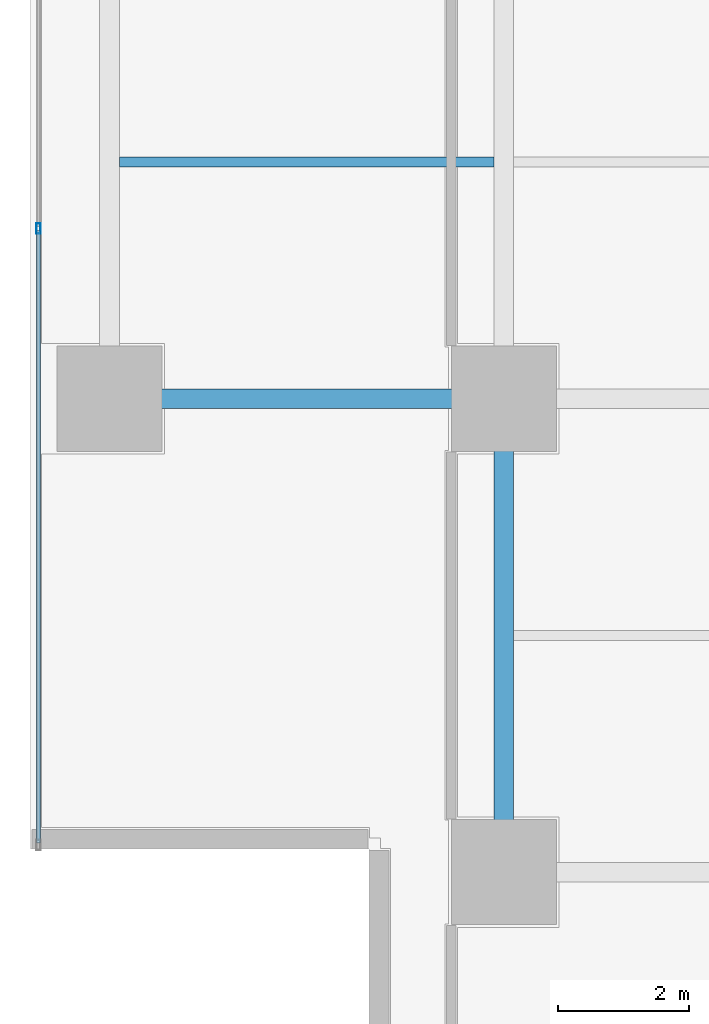
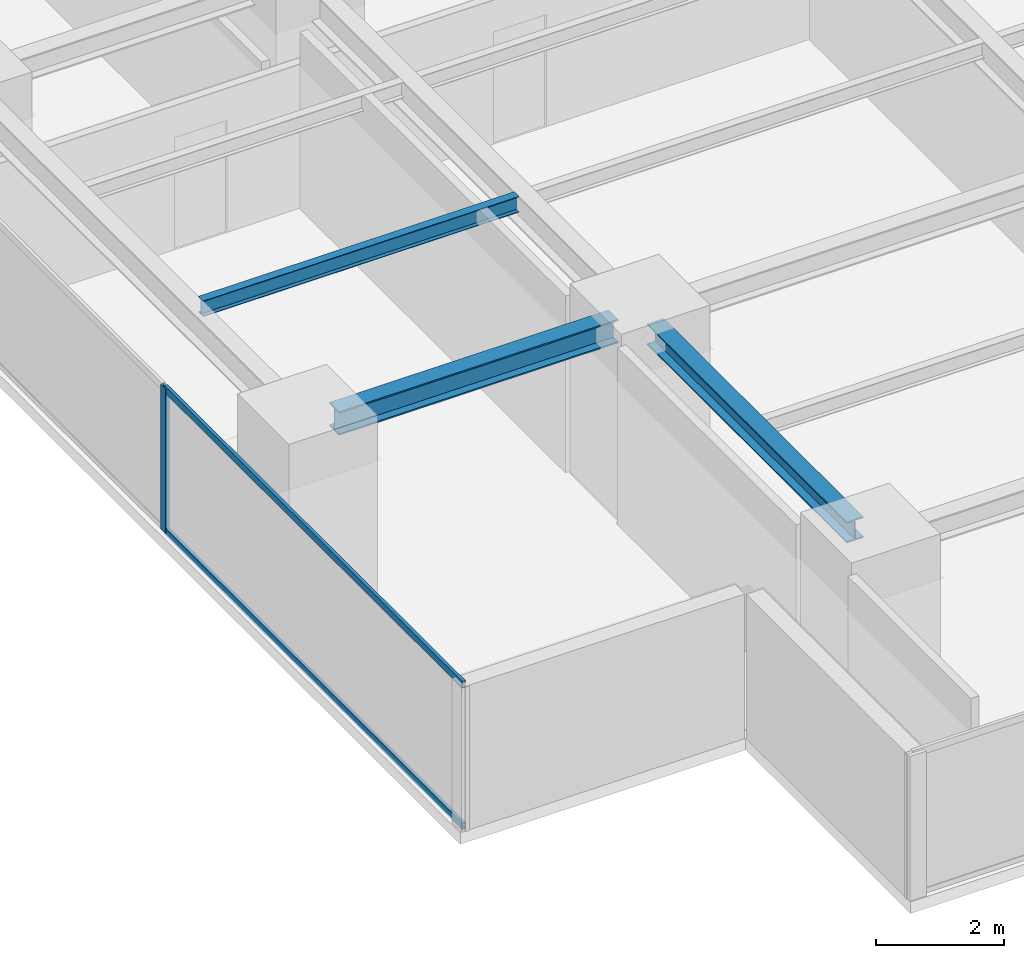
# One storey, part 3 of 28: 3 beams, 3 members, 1 element without a shape of its own.
"""IFC4 building model written with IfcOpenShell, lengths in metres."""

from ifc_helpers import new_model, si_unit, direction, frame, origin, origin_2d, place, context, subcontext, project, spatial, hollow_rectangle, i_section, extrude, source, transform, mapped, material, layer, layer_set, material_profile, profile_set, type_object, element, aggregate, save


model = new_model("IFC4")

# Units and contexts
model_context = context("Model", 3, precision=1e-05, world=origin(), true_north=direction((0.0, 1.0)))
body_context = subcontext(model_context, "Body", "Model", "MODEL_VIEW")
ifc_project = project(units=[si_unit("LENGTHUNIT", "METRE"), si_unit("AREAUNIT", "SQUARE_METRE"), si_unit("VOLUMEUNIT", "CUBIC_METRE"), si_unit("PLANEANGLEUNIT", "RADIAN"), si_unit("MASSUNIT", "GRAM", prefix="KILO")], contexts=[model_context])

# Site, building, storey
site_placement = place(None, origin())
site = spatial("IfcSite", under=ifc_project, at=site_placement, CompositionType="ELEMENT")
building_placement = place(site_placement, origin())
building = spatial("IfcBuilding", under=site, at=building_placement, Name="Sumidabori Civic Tower", CompositionType="ELEMENT")
storey_placement = place(building_placement, frame((0.0, 0.0, 149.60009765625)))
storey = spatial("IfcBuildingStorey", under=building, at=storey_placement, Name="L38", CompositionType="ELEMENT", Elevation=149.60009765625)

# Beams
ifc_material_1 = material(Name="Steel SN490", Category="steel")
ifc_material_profile_1 = material_profile(ifc_material_1, i_section(OverallWidth=0.300048828125, OverallDepth=0.39990234375, WebThickness=0.013427734375, FlangeThickness=0.02392578125, at=origin_2d()), Name="HE 400 B")
ifc_profile_set_1 = profile_set([ifc_material_profile_1], Name="Steel SN490")
beam_type_1 = type_object("IfcBeamType", Name="BM-GIRD-400", PredefinedType="BEAM", material=ifc_profile_set_1)
shared_shape_1 = source(origin(), body_context, "Body", "SweptSolid", [
    extrude(i_section(OverallWidth=0.300048828125, OverallDepth=0.39990234375, WebThickness=0.013427734375, FlangeThickness=0.02392578125, at=origin_2d()), origin(), (0.0, 0.0, 1.0), 6.239990234375),
])
beam_1_placement = place(storey_placement, frame((-16.800048828125, -17.52001953125, 3.179931640625), z_axis=(0.0, 1.0, 0.0), x_axis=(-1.0, 0.0, 0.0)))
element("IfcBeam", 1, at=beam_1_placement, inside=storey, type_object=beam_type_1, Name="Primary Girder L38 GY-22", PredefinedType="BEAM", context=body_context, shape_type="MappedRepresentation", body=[
    mapped(shared_shape_1, transform((0.0, 0.0, 0.0), x_axis=(1.0, 0.0, 0.0), y_axis=(0.0, 1.0, 0.0), z_axis=(0.0, 0.0, 1.0), scale=1.0)),
])
ifc_material_profile_2 = material_profile(ifc_material_1, i_section(OverallWidth=0.14990234375, OverallDepth=0.300048828125, WebThickness=0.007080078125, FlangeThickness=0.0107421875, at=origin_2d()), Name="IPE 300")
ifc_profile_set_2 = profile_set([ifc_material_profile_2], Name="Steel SN490")
beam_type_2 = type_object("IfcBeamType", Name="BM-JST-300", PredefinedType="JOIST", material=ifc_profile_set_2)
shared_shape_2 = source(origin(), body_context, "Body", "SweptSolid", [
    extrude(i_section(OverallWidth=0.14990234375, OverallDepth=0.300048828125, WebThickness=0.007080078125, FlangeThickness=0.0107421875, at=origin_2d()), origin(), (0.0, 0.0, 1.0), 5.699951171875),
])
beam_2_placement = place(storey_placement, frame((-22.64990234375, -7.199951171875, 3.22998046875), z_axis=(1.0, 0.0, 0.0), x_axis=(0.0, 1.0, 0.0)))
element("IfcBeam", 2, at=beam_2_placement, inside=storey, type_object=beam_type_2, Name="Outer Bay Floor Joist L38 JSTO-39", PredefinedType="JOIST", context=body_context, shape_type="MappedRepresentation", body=[
    mapped(shared_shape_2, transform((0.0, 0.0, 0.0), x_axis=(1.0, 0.0, 0.0), y_axis=(0.0, 1.0, 0.0), z_axis=(0.0, 0.0, 1.0), scale=1.0)),
])
ifc_material_profile_3 = material_profile(ifc_material_1, i_section(OverallWidth=0.300048828125, OverallDepth=0.449951171875, WebThickness=0.013916015625, FlangeThickness=0.02587890625, at=origin_2d()), Name="HE 450 B")
ifc_profile_set_3 = profile_set([ifc_material_profile_3], Name="Steel SN490")
beam_type_3 = type_object("IfcBeamType", Name="BM-GIRD-450", PredefinedType="BEAM", material=ifc_profile_set_3)
shared_shape_3 = source(origin(), body_context, "Body", "SweptSolid", [
    extrude(i_section(OverallWidth=0.300048828125, OverallDepth=0.449951171875, WebThickness=0.013916015625, FlangeThickness=0.02587890625, at=origin_2d()), origin(), (0.0, 0.0, 1.0), 5.0400390625),
])
beam_3_placement = place(storey_placement, frame((-22.320068359375, -10.800048828125, 3.15478515625), z_axis=(1.0, 0.0, 0.0), x_axis=(0.0, 1.0, 0.0)))
element("IfcBeam", 3, at=beam_3_placement, inside=storey, type_object=beam_type_3, Name="Primary Girder L38 GX-05", PredefinedType="BEAM", context=body_context, shape_type="MappedRepresentation", body=[
    mapped(shared_shape_3, transform((0.0, 0.0, 0.0), x_axis=(1.0, 0.0, 0.0), y_axis=(0.0, 1.0, 0.0), z_axis=(0.0, 0.0, 1.0), scale=1.0)),
])

# Curtain wall, members
ifc_material_2 = material(Name="Anodised Bronze Aluminium AW-6063-T6", Category="aluminium")
ifc_layer = layer(ifc_material_2, 0.179931640625, Name="Anodised Bronze Aluminium AW-6063-T6")
ifc_layer_set = layer_set([ifc_layer], Name="Anodised Bronze Aluminium AW-6063-T6")
curtain_wall_type = type_object("IfcCurtainWallType", Name="CW-SYS-3", PredefinedType="NOTDEFINED", material=ifc_layer_set)
curtain_wall_placement = place(storey_placement, origin())
curtain_wall = element("IfcCurtainWall", 4, at=curtain_wall_placement, inside=storey, type_object=curtain_wall_type, Name="Curtain Wall CW:L38:R10", PredefinedType="NOTDEFINED")
ifc_material_profile_4 = material_profile(ifc_material_2, hollow_rectangle(XDim=0.06494140625, YDim=0.159912109375, WallThickness=0.0048828125, at=origin_2d()), Name="ALU MULLION 160x65")
ifc_profile_set_4 = profile_set([ifc_material_profile_4], Name="Anodised Bronze Aluminium AW-6063-T6")
member_type_1 = type_object("IfcMemberType", Name="CW-MUL-160", PredefinedType="MULLION", material=ifc_profile_set_4)
shared_shape_4 = source(origin(), body_context, "Body", "SweptSolid", [
    extrude(hollow_rectangle(XDim=0.06494140625, YDim=0.159912109375, WallThickness=0.0048828125, at=origin_2d()), origin(), (0.0, 0.0, 1.0), 2.760009765625),
])
member_1_placement = place(storey_placement, frame((-23.8798828125, -8.2099609375, 0.0), z_axis=(0.0, 0.0, 1.0), x_axis=(1.0, 0.0, 0.0)))
member_1 = element("IfcMember", 5, at=member_1_placement, type_object=member_type_1, Name="CW-3 mullion 4", PredefinedType="MULLION", context=body_context, shape_type="MappedRepresentation", body=[
    mapped(shared_shape_4, transform((0.0, 0.0, 0.0), x_axis=(1.0, 0.0, 0.0), y_axis=(0.0, 1.0, 0.0), z_axis=(0.0, 0.0, 1.0), scale=1.0)),
])
ifc_material_profile_5 = material_profile(ifc_material_2, hollow_rectangle(XDim=0.06005859375, YDim=0.1298828125, WallThickness=0.0048828125, at=origin_2d()), Name="ALU TRANSOM 130x60")
ifc_profile_set_5 = profile_set([ifc_material_profile_5], Name="Anodised Bronze Aluminium AW-6063-T6")
member_type_2 = type_object("IfcMemberType", Name="CW-TRN-130", PredefinedType="USERDEFINED", material=ifc_profile_set_5)
shared_shape_5 = source(origin(), body_context, "Body", "SweptSolid", [
    extrude(hollow_rectangle(XDim=0.06005859375, YDim=0.1298828125, WallThickness=0.0048828125, at=origin_2d()), origin(), (0.0, 0.0, 1.0), 9.3125),
])
member_2_placement = place(storey_placement, frame((-23.8798828125, -8.242431640625, 0.02978515625), z_axis=(0.0, -1.0, 0.0), x_axis=(1.0, 0.0, 0.0)))
member_2 = element("IfcMember", 6, at=member_2_placement, type_object=member_type_2, Name="CW-3 transom 4.1", ObjectType="TRANSOM", PredefinedType="USERDEFINED", context=body_context, shape_type="MappedRepresentation", body=[
    mapped(shared_shape_5, transform((0.0, 0.0, 0.0), x_axis=(1.0, 0.0, 0.0), y_axis=(0.0, 1.0, 0.0), z_axis=(0.0, 0.0, 1.0), scale=1.0)),
])
member_3_placement = place(storey_placement, frame((-23.8798828125, -8.242431640625, 2.72998046875), z_axis=(0.0, -1.0, 0.0), x_axis=(1.0, 0.0, 0.0)))
member_3 = element("IfcMember", 7, at=member_3_placement, type_object=member_type_2, Name="CW-3 transom 4.2", ObjectType="TRANSOM", PredefinedType="USERDEFINED", context=body_context, shape_type="MappedRepresentation", body=[
    mapped(shared_shape_5, transform((0.0, 0.0, 0.0), x_axis=(1.0, 0.0, 0.0), y_axis=(0.0, 1.0, 0.0), z_axis=(0.0, 0.0, 1.0), scale=1.0)),
])
aggregate(curtain_wall, [member_1, member_2, member_3])

save(model, "model.ifc")
